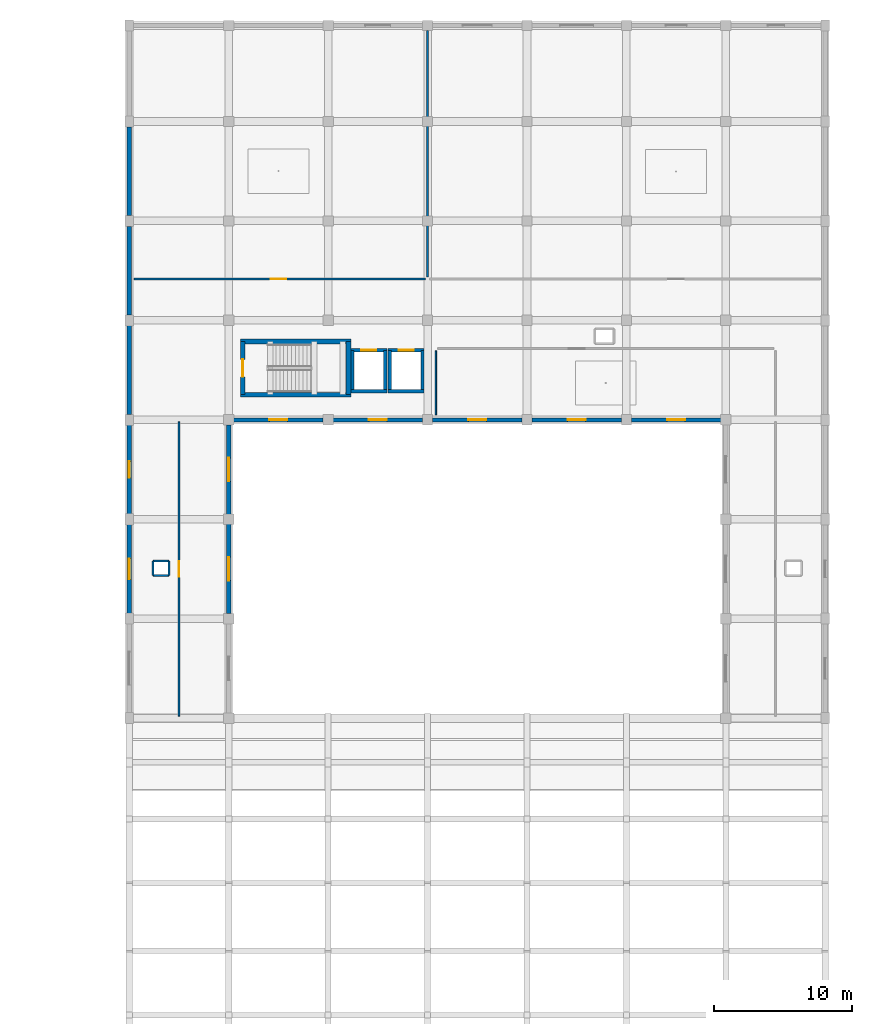
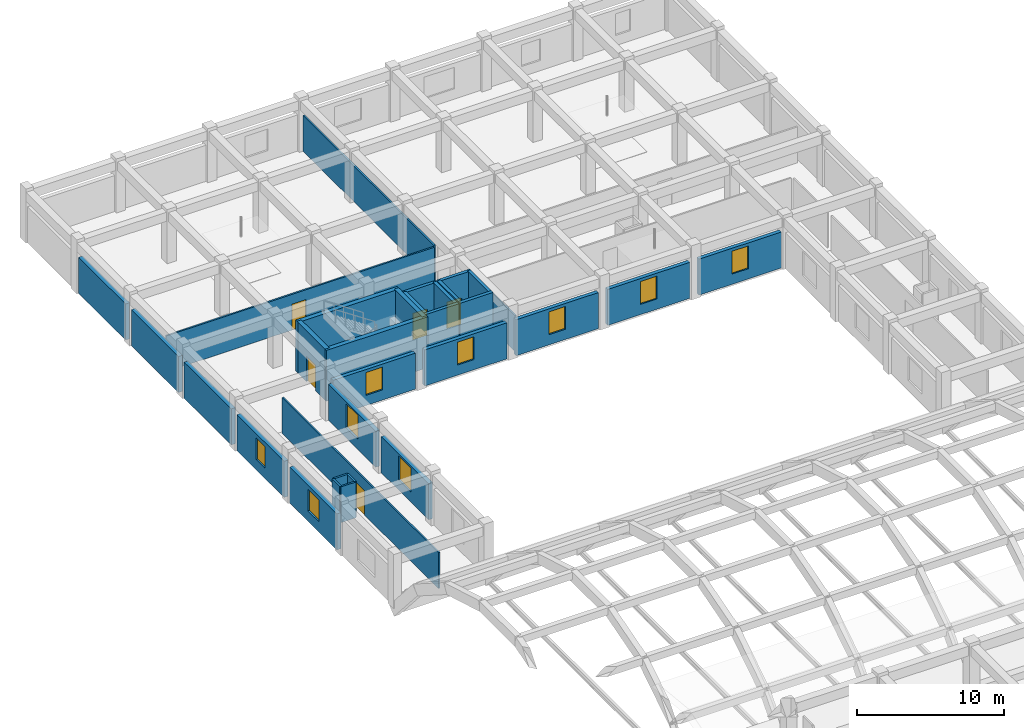
# One storey, part 30 of 48: 32 walls, 9 windows, 5 doors, 14 openings.
"""IFC4 building model written with IfcOpenShell, lengths in metres."""

from ifc_helpers import new_model, si_unit, direction, frame, frame_2d, origin, place, context, subcontext, project, spatial, rectangle, extrude, material, layer, layer_set, type_object, element, fill, save


model = new_model("IFC4")

# Units and contexts
model_context = context("Model", 3, precision=1e-05, world=origin(), true_north=direction((0.0, 1.0)))
body_context = subcontext(model_context, "Body", "Model", "MODEL_VIEW")
ifc_project = project(units=[si_unit("LENGTHUNIT", "METRE"), si_unit("AREAUNIT", "SQUARE_METRE"), si_unit("VOLUMEUNIT", "CUBIC_METRE"), si_unit("PLANEANGLEUNIT", "RADIAN"), si_unit("MASSUNIT", "GRAM", prefix="KILO")], contexts=[model_context])

# Site, building, storey
site_placement = place(None, origin())
site = spatial("IfcSite", under=ifc_project, at=site_placement, CompositionType="ELEMENT")
building_placement = place(site_placement, origin())
building = spatial("IfcBuilding", under=site, at=building_placement, Name="Kazehaya Institute of Natural Sciences", CompositionType="ELEMENT")
storey_placement = place(building_placement, frame((0.0, 0.0, 19.800048828125)))
storey = spatial("IfcBuildingStorey", under=building, at=storey_placement, Name="L04", CompositionType="ELEMENT", Elevation=19.800048828125)

# Walls
ifc_material_1 = material(Name="Concrete Fc42", Category="concrete")
ifc_layer_1 = layer(ifc_material_1, 0.35009765625, Name="Concrete Fc42", Category="concrete")
ifc_layer_set_1 = layer_set([ifc_layer_1], Name="Concrete Fc42")
wall_type_1 = type_object("IfcWallType", Name="WL-CORE-350", PredefinedType="SHEAR", material=ifc_layer_set_1)
for number, where, z_axis, x_axis, name in (
    (1, (77.85498046875, 87.820068359375, 0.0), (0.0, 0.0, 1.0), (-1.0, 0.0, 0.0), "L04 ST-3 core wall S"),
    (2, (69.844970703125, 91.659912109375, 0.0), (0.0, 0.0, 1.0), (1.0, 0.0, 0.0), "L04 ST-3 core wall N"),
):
    element("IfcWall", number, at=place(storey_placement, frame(where, z_axis=z_axis, x_axis=x_axis)), inside=storey, type_object=wall_type_1, Name=name, PredefinedType="SHEAR", context=body_context, shape_type="SweptSolid", body=[
        extrude(rectangle(XDim=8.010009765625, YDim=0.35009765625, at=frame_2d((4.0048828125, 0.0))), origin(), (0.0, 0.0, 1.0), 4.22998046875),
    ])

# Wall, opening, door
wall_1_placement = place(storey_placement, frame((70.02001953125, 87.820068359375, 0.0), z_axis=(0.0, 0.0, 1.0), x_axis=(0.0, 1.0, 0.0)))
wall_1 = element("IfcWall", 3, at=wall_1_placement, inside=storey, type_object=wall_type_1, Name="L04 ST-3 core wall W", PredefinedType="SHEAR", context=body_context, shape_type="SweptSolid", body=[
    extrude(rectangle(XDim=3.83984375, YDim=0.35009765625, at=frame_2d((1.919921875, 0.0))), origin(), (0.0, 0.0, 1.0), 4.22998046875),
])
opening_1_placement = place(wall_1_placement, frame((1.2900390625, 0.0, 0.0)))
opening_1 = element("IfcOpeningElement", 4, at=opening_1_placement, cuts=wall_1, Name="Opening D-ST-028", PredefinedType="OPENING", context=body_context, shape_type="SweptSolid", body=[
    extrude(rectangle(XDim=1.260009765625, YDim=2.1201171875, at=frame_2d((0.6298828125, 1.06005859375))), frame((0.0, 0.18505859375, 0.0), z_axis=(0.0, -1.0, 0.0), x_axis=(1.0, 0.0, 0.0)), (0.0, 0.0, 1.0), 0.3701171875),
])
ifc_material_2 = material(Name="Fire-rated steel acoustic door", Category="steel")
door_type_1 = type_object("IfcDoorType", Name="DT-FD-29", OperationType="NOTDEFINED", PredefinedType="DOOR", material=ifc_material_2)
door_1_placement = place(opening_1_placement, origin())
door_1 = element("IfcDoor", 5, at=door_1_placement, inside=storey, type_object=door_type_1, Name="L04 ST-3 stair enclosure door D-ST-028", OperationType="SINGLE_SWING_RIGHT", OverallHeight=2.1201171875, OverallWidth=1.260009765625, PredefinedType="DOOR", context=body_context, shape_type="SweptSolid", body=[
    extrude(rectangle(XDim=1.260009765625, YDim=2.1201171875, at=frame_2d((0.6298828125, 1.06005859375))), frame((0.0, 0.02490234375, 0.0), z_axis=(0.0, -1.0, 0.0), x_axis=(1.0, 0.0, 0.0)), (0.0, 0.0, 1.0), 0.050048828125),
])
fill(opening_1, door_1)

# Wall
wall_2_placement = place(storey_placement, frame((77.679931640625, 91.659912109375, 0.0), z_axis=(0.0, 0.0, 1.0), x_axis=(0.0, -1.0, 0.0)))
element("IfcWall", 6, at=wall_2_placement, inside=storey, type_object=wall_type_1, Name="L04 ST-3 core wall E", PredefinedType="SHEAR", context=body_context, shape_type="SweptSolid", body=[
    extrude(rectangle(XDim=3.83984375, YDim=0.35009765625, at=frame_2d((1.919921875, 0.0))), origin(), (0.0, 0.0, 1.0), 4.22998046875),
])

# Wall, opening, window
ifc_material_3 = material(Name="Precast concrete Fc36", Category="concrete")
ifc_layer_2 = layer(ifc_material_3, 0.2900390625, Name="Precast concrete Fc36", Category="concrete")
ifc_layer_set_2 = layer_set([ifc_layer_2], Name="Precast concrete Fc36")
wall_type_2 = type_object("IfcWallType", Name="WL-EXT-290", PredefinedType="SOLIDWALL", material=ifc_layer_set_2)
wall_3_placement = place(storey_placement, frame((104.639892578125, 86.0, 0.0), z_axis=(0.0, 0.0, 1.0), x_axis=(-1.0, 0.0, 0.0)))
wall_3 = element("IfcWall", 7, at=wall_3_placement, inside=storey, type_object=wall_type_2, Name="L04 exterior wall EW-L04-0296", PredefinedType="SOLIDWALL", context=body_context, shape_type="SweptSolid", body=[
    extrude(rectangle(XDim=6.47998046875, YDim=0.2900390625, at=frame_2d((3.239990234375, 0.0))), origin(), (0.0, 0.0, 1.0), 3.0),
])
opening_2_placement = place(wall_3_placement, frame((2.590087890625, 0.0, 0.85009765625)))
opening_2 = element("IfcOpeningElement", 8, at=opening_2_placement, cuts=wall_3, Name="Opening W26", PredefinedType="OPENING", context=body_context, shape_type="SweptSolid", body=[
    extrude(rectangle(XDim=1.300048828125, YDim=1.89990234375, at=frame_2d((0.64990234375, 0.949951171875))), frame((0.0, 0.155029296875, 0.0), z_axis=(0.0, -1.0, 0.0), x_axis=(1.0, 0.0, 0.0)), (0.0, 0.0, 1.0), 0.31005859375),
])
ifc_material_4 = material(Name="Low-E double-glazed aluminium window", Category="aluminium")
window_type_1 = type_object("IfcWindowType", Name="WN-26", PartitioningType="SINGLE_PANEL", PredefinedType="WINDOW", material=ifc_material_4)
window_1_placement = place(opening_2_placement, origin())
window_1 = element("IfcWindow", 9, at=window_1_placement, inside=storey, type_object=window_type_1, Name="L04 facade window 0185", OverallHeight=1.89990234375, OverallWidth=1.300048828125, PartitioningType="SINGLE_PANEL", PredefinedType="WINDOW", context=body_context, shape_type="SweptSolid", body=[
    extrude(rectangle(XDim=1.300048828125, YDim=1.89990234375, at=frame_2d((0.64990234375, 0.949951171875))), frame((0.0, 0.030029296875, 0.0), z_axis=(0.0, -1.0, 0.0), x_axis=(1.0, 0.0, 0.0)), (0.0, 0.0, 1.0), 0.06005859375),
])
fill(opening_2, window_1)

wall_4_placement = place(storey_placement, frame((97.43994140625, 86.0, 0.0), z_axis=(0.0, 0.0, 1.0), x_axis=(-1.0, 0.0, 0.0)))
wall_4 = element("IfcWall", 10, at=wall_4_placement, inside=storey, type_object=wall_type_2, Name="L04 exterior wall EW-L04-0297", PredefinedType="SOLIDWALL", context=body_context, shape_type="SweptSolid", body=[
    extrude(rectangle(XDim=6.47998046875, YDim=0.2900390625, at=frame_2d((3.239990234375, 0.0))), origin(), (0.0, 0.0, 1.0), 3.0),
])
opening_3_placement = place(wall_4_placement, frame((2.590087890625, 0.0, 0.85009765625)))
opening_3 = element("IfcOpeningElement", 11, at=opening_3_placement, cuts=wall_4, Name="Opening W26", PredefinedType="OPENING", context=body_context, shape_type="SweptSolid", body=[
    extrude(rectangle(XDim=1.300048828125, YDim=1.89990234375, at=frame_2d((0.64990234375, 0.949951171875))), frame((0.0, 0.155029296875, 0.0), z_axis=(0.0, -1.0, 0.0), x_axis=(1.0, 0.0, 0.0)), (0.0, 0.0, 1.0), 0.31005859375),
])
window_2_placement = place(opening_3_placement, origin())
window_2 = element("IfcWindow", 12, at=window_2_placement, inside=storey, type_object=window_type_1, Name="L04 facade window 0186", OverallHeight=1.89990234375, OverallWidth=1.300048828125, PartitioningType="SINGLE_PANEL", PredefinedType="WINDOW", context=body_context, shape_type="SweptSolid", body=[
    extrude(rectangle(XDim=1.300048828125, YDim=1.89990234375, at=frame_2d((0.64990234375, 0.949951171875))), frame((0.0, 0.030029296875, 0.0), z_axis=(0.0, -1.0, 0.0), x_axis=(1.0, 0.0, 0.0)), (0.0, 0.0, 1.0), 0.06005859375),
])
fill(opening_3, window_2)

wall_5_placement = place(storey_placement, frame((90.239990234375, 86.0, 0.0), z_axis=(0.0, 0.0, 1.0), x_axis=(-1.0, 0.0, 0.0)))
wall_5 = element("IfcWall", 13, at=wall_5_placement, inside=storey, type_object=wall_type_2, Name="L04 exterior wall EW-L04-0298", PredefinedType="SOLIDWALL", context=body_context, shape_type="SweptSolid", body=[
    extrude(rectangle(XDim=6.47998046875, YDim=0.2900390625, at=frame_2d((3.239990234375, 0.0))), origin(), (0.0, 0.0, 1.0), 3.0),
])
opening_4_placement = place(wall_5_placement, frame((2.590087890625, 0.0, 0.85009765625)))
opening_4 = element("IfcOpeningElement", 14, at=opening_4_placement, cuts=wall_5, Name="Opening W26", PredefinedType="OPENING", context=body_context, shape_type="SweptSolid", body=[
    extrude(rectangle(XDim=1.300048828125, YDim=1.89990234375, at=frame_2d((0.64990234375, 0.949951171875))), frame((0.0, 0.155029296875, 0.0), z_axis=(0.0, -1.0, 0.0), x_axis=(1.0, 0.0, 0.0)), (0.0, 0.0, 1.0), 0.31005859375),
])
window_3_placement = place(opening_4_placement, origin())
window_3 = element("IfcWindow", 15, at=window_3_placement, inside=storey, type_object=window_type_1, Name="L04 facade window 0187", OverallHeight=1.89990234375, OverallWidth=1.300048828125, PartitioningType="SINGLE_PANEL", PredefinedType="WINDOW", context=body_context, shape_type="SweptSolid", body=[
    extrude(rectangle(XDim=1.300048828125, YDim=1.89990234375, at=frame_2d((0.64990234375, 0.949951171875))), frame((0.0, 0.030029296875, 0.0), z_axis=(0.0, -1.0, 0.0), x_axis=(1.0, 0.0, 0.0)), (0.0, 0.0, 1.0), 0.06005859375),
])
fill(opening_4, window_3)

wall_6_placement = place(storey_placement, frame((83.0400390625, 86.0, 0.0), z_axis=(0.0, 0.0, 1.0), x_axis=(-1.0, 0.0, 0.0)))
wall_6 = element("IfcWall", 16, at=wall_6_placement, inside=storey, type_object=wall_type_2, Name="L04 exterior wall EW-L04-0299", PredefinedType="SOLIDWALL", context=body_context, shape_type="SweptSolid", body=[
    extrude(rectangle(XDim=6.47998046875, YDim=0.2900390625, at=frame_2d((3.239990234375, 0.0))), origin(), (0.0, 0.0, 1.0), 3.0),
])
opening_5_placement = place(wall_6_placement, frame((2.590087890625, 0.0, 0.85009765625)))
opening_5 = element("IfcOpeningElement", 17, at=opening_5_placement, cuts=wall_6, Name="Opening W26", PredefinedType="OPENING", context=body_context, shape_type="SweptSolid", body=[
    extrude(rectangle(XDim=1.300048828125, YDim=1.89990234375, at=frame_2d((0.64990234375, 0.949951171875))), frame((0.0, 0.155029296875, 0.0), z_axis=(0.0, -1.0, 0.0), x_axis=(1.0, 0.0, 0.0)), (0.0, 0.0, 1.0), 0.31005859375),
])
window_4_placement = place(opening_5_placement, origin())
window_4 = element("IfcWindow", 18, at=window_4_placement, inside=storey, type_object=window_type_1, Name="L04 facade window 0188", OverallHeight=1.89990234375, OverallWidth=1.300048828125, PartitioningType="SINGLE_PANEL", PredefinedType="WINDOW", context=body_context, shape_type="SweptSolid", body=[
    extrude(rectangle(XDim=1.300048828125, YDim=1.89990234375, at=frame_2d((0.64990234375, 0.949951171875))), frame((0.0, 0.030029296875, 0.0), z_axis=(0.0, -1.0, 0.0), x_axis=(1.0, 0.0, 0.0)), (0.0, 0.0, 1.0), 0.06005859375),
])
fill(opening_5, window_4)

wall_7_placement = place(storey_placement, frame((75.840087890625, 86.0, 0.0), z_axis=(0.0, 0.0, 1.0), x_axis=(-1.0, 0.0, 0.0)))
wall_7 = element("IfcWall", 19, at=wall_7_placement, inside=storey, type_object=wall_type_2, Name="L04 exterior wall EW-L04-0300", PredefinedType="SOLIDWALL", context=body_context, shape_type="SweptSolid", body=[
    extrude(rectangle(XDim=6.47998046875, YDim=0.2900390625, at=frame_2d((3.239990234375, 0.0))), origin(), (0.0, 0.0, 1.0), 3.0),
])
opening_6_placement = place(wall_7_placement, frame((2.590087890625, 0.0, 0.85009765625)))
opening_6 = element("IfcOpeningElement", 20, at=opening_6_placement, cuts=wall_7, Name="Opening W26", PredefinedType="OPENING", context=body_context, shape_type="SweptSolid", body=[
    extrude(rectangle(XDim=1.300048828125, YDim=1.89990234375, at=frame_2d((0.64990234375, 0.949951171875))), frame((0.0, 0.155029296875, 0.0), z_axis=(0.0, -1.0, 0.0), x_axis=(1.0, 0.0, 0.0)), (0.0, 0.0, 1.0), 0.31005859375),
])
window_5_placement = place(opening_6_placement, origin())
window_5 = element("IfcWindow", 21, at=window_5_placement, inside=storey, type_object=window_type_1, Name="L04 facade window 0189", OverallHeight=1.89990234375, OverallWidth=1.300048828125, PartitioningType="SINGLE_PANEL", PredefinedType="WINDOW", context=body_context, shape_type="SweptSolid", body=[
    extrude(rectangle(XDim=1.300048828125, YDim=1.89990234375, at=frame_2d((0.64990234375, 0.949951171875))), frame((0.0, 0.030029296875, 0.0), z_axis=(0.0, -1.0, 0.0), x_axis=(1.0, 0.0, 0.0)), (0.0, 0.0, 1.0), 0.06005859375),
])
fill(opening_6, window_5)

ifc_layer_3 = layer(ifc_material_3, 0.31005859375, Name="Precast concrete Fc36", Category="concrete")
ifc_layer_set_3 = layer_set([ifc_layer_3], Name="Precast concrete Fc36")
wall_type_3 = type_object("IfcWallType", Name="WL-EXT-310", PredefinedType="SOLIDWALL", material=ifc_layer_set_3)
wall_8_placement = place(storey_placement, frame((69.0, 78.43994140625, 0.0), z_axis=(0.0, 0.0, 1.0), x_axis=(0.0, -1.0, 0.0)))
wall_8 = element("IfcWall", 22, at=wall_8_placement, inside=storey, type_object=wall_type_3, Name="L04 exterior wall EW-L04-0275", PredefinedType="SOLIDWALL", context=body_context, shape_type="SweptSolid", body=[
    extrude(rectangle(XDim=6.47998046875, YDim=0.31005859375, at=frame_2d((3.239990234375, 0.0))), origin(), (0.0, 0.0, 1.0), 3.0),
])
opening_7_placement = place(wall_8_placement, frame((2.389892578125, 0.0, 0.85009765625)))
opening_7 = element("IfcOpeningElement", 23, at=opening_7_placement, cuts=wall_8, Name="Opening W22", PredefinedType="OPENING", context=body_context, shape_type="SweptSolid", body=[
    extrude(rectangle(XDim=1.699951171875, YDim=2.0, at=frame_2d((0.85009765625, 1.0))), frame((0.0, 0.1650390625, 0.0), z_axis=(0.0, -1.0, 0.0), x_axis=(1.0, 0.0, 0.0)), (0.0, 0.0, 1.0), 0.330078125),
])
window_type_2 = type_object("IfcWindowType", Name="WN-22", PartitioningType="SINGLE_PANEL", PredefinedType="WINDOW", material=ifc_material_4)
window_6_placement = place(opening_7_placement, origin())
window_6 = element("IfcWindow", 24, at=window_6_placement, inside=storey, type_object=window_type_2, Name="L04 facade window 0175", OverallHeight=2.0, OverallWidth=1.699951171875, PartitioningType="SINGLE_PANEL", PredefinedType="WINDOW", context=body_context, shape_type="SweptSolid", body=[
    extrude(rectangle(XDim=1.699951171875, YDim=2.0, at=frame_2d((0.85009765625, 1.0))), frame((0.0, 0.030029296875, 0.0), z_axis=(0.0, -1.0, 0.0), x_axis=(1.0, 0.0, 0.0)), (0.0, 0.0, 1.0), 0.06005859375),
])
fill(opening_7, window_6)

wall_9_placement = place(storey_placement, frame((69.0, 85.639892578125, 0.0), z_axis=(0.0, 0.0, 1.0), x_axis=(0.0, -1.0, 0.0)))
wall_9 = element("IfcWall", 25, at=wall_9_placement, inside=storey, type_object=wall_type_3, Name="L04 exterior wall EW-L04-0279", PredefinedType="SOLIDWALL", context=body_context, shape_type="SweptSolid", body=[
    extrude(rectangle(XDim=6.47998046875, YDim=0.31005859375, at=frame_2d((3.239990234375, 0.0))), origin(), (0.0, 0.0, 1.0), 3.0),
])
opening_8_placement = place(wall_9_placement, frame((2.389892578125, 0.0, 0.85009765625)))
opening_8 = element("IfcOpeningElement", 26, at=opening_8_placement, cuts=wall_9, Name="Opening W22", PredefinedType="OPENING", context=body_context, shape_type="SweptSolid", body=[
    extrude(rectangle(XDim=1.699951171875, YDim=2.0, at=frame_2d((0.85009765625, 1.0))), frame((0.0, 0.1650390625, 0.0), z_axis=(0.0, -1.0, 0.0), x_axis=(1.0, 0.0, 0.0)), (0.0, 0.0, 1.0), 0.330078125),
])
window_7_placement = place(opening_8_placement, origin())
window_7 = element("IfcWindow", 27, at=window_7_placement, inside=storey, type_object=window_type_2, Name="L04 facade window 0178", OverallHeight=2.0, OverallWidth=1.699951171875, PartitioningType="SINGLE_PANEL", PredefinedType="WINDOW", context=body_context, shape_type="SweptSolid", body=[
    extrude(rectangle(XDim=1.699951171875, YDim=2.0, at=frame_2d((0.85009765625, 1.0))), frame((0.0, 0.030029296875, 0.0), z_axis=(0.0, -1.0, 0.0), x_axis=(1.0, 0.0, 0.0)), (0.0, 0.0, 1.0), 0.06005859375),
])
fill(opening_8, window_7)

ifc_layer_4 = layer(ifc_material_3, 0.320068359375, Name="Precast concrete Fc36", Category="concrete")
ifc_layer_set_4 = layer_set([ifc_layer_4], Name="Precast concrete Fc36")
wall_type_4 = type_object("IfcWallType", Name="WL-EXT-320", PredefinedType="SOLIDWALL", material=ifc_layer_set_4)
wall_10_placement = place(storey_placement, frame((61.800048828125, 71.985107421875, 0.0), z_axis=(0.0, 0.0, 1.0), x_axis=(0.0, 1.0, 0.0)))
wall_10 = element("IfcWall", 28, at=wall_10_placement, inside=storey, type_object=wall_type_4, Name="L04 exterior wall EW-L04-0273", PredefinedType="SOLIDWALL", context=body_context, shape_type="SweptSolid", body=[
    extrude(rectangle(XDim=6.429931640625, YDim=0.320068359375, at=frame_2d((3.21484375, 0.0))), origin(), (0.0, 0.0, 1.0), 3.0),
])
opening_9_placement = place(wall_10_placement, frame((2.465087890625, 0.0, 0.85009765625)))
opening_9 = element("IfcOpeningElement", 29, at=opening_9_placement, cuts=wall_10, Name="Opening W14", PredefinedType="OPENING", context=body_context, shape_type="SweptSolid", body=[
    extrude(rectangle(XDim=1.5, YDim=1.800048828125, at=frame_2d((0.75, 0.89990234375))), frame((0.0, 0.169921875, 0.0), z_axis=(0.0, -1.0, 0.0), x_axis=(1.0, 0.0, 0.0)), (0.0, 0.0, 1.0), 0.340087890625),
])
window_type_3 = type_object("IfcWindowType", Name="WN-14", PartitioningType="SINGLE_PANEL", PredefinedType="WINDOW", material=ifc_material_4)
window_8_placement = place(opening_9_placement, origin())
window_8 = element("IfcWindow", 30, at=window_8_placement, inside=storey, type_object=window_type_3, Name="L04 facade window 0173", OverallHeight=1.800048828125, OverallWidth=1.5, PartitioningType="SINGLE_PANEL", PredefinedType="WINDOW", context=body_context, shape_type="SweptSolid", body=[
    extrude(rectangle(XDim=1.5, YDim=1.800048828125, at=frame_2d((0.75, 0.89990234375))), frame((0.0, 0.030029296875, 0.0), z_axis=(0.0, -1.0, 0.0), x_axis=(1.0, 0.0, 0.0)), (0.0, 0.0, 1.0), 0.06005859375),
])
fill(opening_9, window_8)

wall_11_placement = place(storey_placement, frame((61.800048828125, 79.18505859375, 0.0), z_axis=(0.0, 0.0, 1.0), x_axis=(0.0, 1.0, 0.0)))
wall_11 = element("IfcWall", 31, at=wall_11_placement, inside=storey, type_object=wall_type_4, Name="L04 exterior wall EW-L04-0277", PredefinedType="SOLIDWALL", context=body_context, shape_type="SweptSolid", body=[
    extrude(rectangle(XDim=6.429931640625, YDim=0.320068359375, at=frame_2d((3.21484375, 0.0))), origin(), (0.0, 0.0, 1.0), 3.0),
])
opening_10_placement = place(wall_11_placement, frame((2.614990234375, 0.0, 0.85009765625)))
opening_10 = element("IfcOpeningElement", 32, at=opening_10_placement, cuts=wall_11, Name="Opening W15", PredefinedType="OPENING", context=body_context, shape_type="SweptSolid", body=[
    extrude(rectangle(XDim=1.199951171875, YDim=1.800048828125, at=frame_2d((0.60009765625, 0.89990234375))), frame((0.0, 0.169921875, 0.0), z_axis=(0.0, -1.0, 0.0), x_axis=(1.0, 0.0, 0.0)), (0.0, 0.0, 1.0), 0.340087890625),
])
window_type_4 = type_object("IfcWindowType", Name="WN-15", PartitioningType="SINGLE_PANEL", PredefinedType="WINDOW", material=ifc_material_4)
window_9_placement = place(opening_10_placement, origin())
window_9 = element("IfcWindow", 33, at=window_9_placement, inside=storey, type_object=window_type_4, Name="L04 facade window 0177", OverallHeight=1.800048828125, OverallWidth=1.199951171875, PartitioningType="SINGLE_PANEL", PredefinedType="WINDOW", context=body_context, shape_type="SweptSolid", body=[
    extrude(rectangle(XDim=1.199951171875, YDim=1.800048828125, at=frame_2d((0.60009765625, 0.89990234375))), frame((0.0, 0.030029296875, 0.0), z_axis=(0.0, -1.0, 0.0), x_axis=(1.0, 0.0, 0.0)), (0.0, 0.0, 1.0), 0.06005859375),
])
fill(opening_10, window_9)

# Walls
for number, where, z_axis, x_axis, name in (
    (34, (61.800048828125, 86.385009765625, 0.0), (0.0, 0.0, 1.0), (0.0, 1.0, 0.0), "L04 exterior wall EW-L04-0281"),
    (35, (61.800048828125, 93.5849609375, 0.0), (0.0, 0.0, 1.0), (0.0, 1.0, 0.0), "L04 exterior wall EW-L04-0283"),
):
    element("IfcWall", number, at=place(storey_placement, frame(where, z_axis=z_axis, x_axis=x_axis)), inside=storey, type_object=wall_type_4, Name=name, PredefinedType="SOLIDWALL", context=body_context, shape_type="SweptSolid", body=[
        extrude(rectangle(XDim=6.429931640625, YDim=0.320068359375, at=frame_2d((3.21484375, 0.0))), origin(), (0.0, 0.0, 1.0), 3.0),
    ])
wall_12_placement = place(storey_placement, frame((61.800048828125, 100.784912109375, 0.0), z_axis=(0.0, 0.0, 1.0), x_axis=(0.0, 1.0, 0.0)))
element("IfcWall", 36, at=wall_12_placement, inside=storey, type_object=wall_type_4, Name="L04 exterior wall EW-L04-0285", PredefinedType="SOLIDWALL", context=body_context, shape_type="SweptSolid", body=[
    extrude(rectangle(XDim=6.43017578125, YDim=0.320068359375, at=frame_2d((3.215087890625, 0.0))), origin(), (0.0, 0.0, 1.0), 3.0),
])
ifc_material_5 = material(Name="Glazed office demountable partition")
ifc_layer_5 = layer(ifc_material_5, 0.110107421875, Name="Glazed office demountable partition")
ifc_layer_set_5 = layer_set([ifc_layer_5], Name="Glazed office demountable partition")
wall_type_5 = type_object("IfcWallType", Name="WL-PART-110", PredefinedType="PARTITIONING", material=ifc_layer_set_5)
wall_13_placement = place(storey_placement, frame((84.0, 86.35009765625, 0.0), z_axis=(0.0, 0.0, 1.0), x_axis=(0.0, 1.0, 0.0)))
element("IfcWall", 37, at=wall_13_placement, inside=storey, type_object=wall_type_5, Name="L04 Researcher Write-up Office partition IW-L04-0252", PredefinedType="PARTITIONING", context=body_context, shape_type="SweptSolid", body=[
    extrude(rectangle(XDim=4.64990234375, YDim=0.110107421875, at=frame_2d((2.324951171875, 0.0))), origin(), (0.0, 0.0, 1.0), 2.97998046875),
])

# Wall, opening, door
ifc_material_6 = material(Name="Gypsum write-up office partition", Category="gypsum")
ifc_layer_6 = layer(ifc_material_6, 0.1201171875, Name="Gypsum write-up office partition", Category="gypsum")
ifc_layer_set_6 = layer_set([ifc_layer_6], Name="Gypsum write-up office partition")
wall_type_6 = type_object("IfcWallType", Name="WL-PART-120", PredefinedType="PARTITIONING", material=ifc_layer_set_6)
wall_14_placement = place(storey_placement, frame((65.39990234375, 64.550048828125, 0.0), z_axis=(0.0, 0.0, 1.0), x_axis=(0.0, 1.0, 0.0)))
wall_14 = element("IfcWall", 38, at=wall_14_placement, inside=storey, type_object=wall_type_6, Name="L04 Researcher Write-up Office partition IW-L04-0246", PredefinedType="PARTITIONING", context=body_context, shape_type="SweptSolid", body=[
    extrude(rectangle(XDim=21.300048828125, YDim=0.1201171875, at=frame_2d((10.64990234375, 0.0))), origin(), (0.0, 0.0, 1.0), 2.97998046875),
])
opening_11_placement = place(wall_14_placement, frame((10.094970703125, 0.0, 0.0)))
opening_11 = element("IfcOpeningElement", 39, at=opening_11_placement, cuts=wall_14, Name="Opening D-L04-0149", PredefinedType="OPENING", context=body_context, shape_type="SweptSolid", body=[
    extrude(rectangle(XDim=1.110107421875, YDim=2.050048828125, at=frame_2d((0.55517578125, 1.02490234375))), frame((0.0, 0.070068359375, 0.0), z_axis=(0.0, -1.0, 0.0), x_axis=(1.0, 0.0, 0.0)), (0.0, 0.0, 1.0), 0.14013671875),
])
ifc_material_7 = material(Name="Flush timber and aluminium laboratory door", Category="wood")
door_type_2 = type_object("IfcDoorType", Name="DT-INT-25", OperationType="NOTDEFINED", PredefinedType="DOOR", material=ifc_material_7)
door_2_placement = place(opening_11_placement, origin())
door_2 = element("IfcDoor", 40, at=door_2_placement, inside=storey, type_object=door_type_2, Name="L04 Researcher Write-up Office door D-L04-0149", OperationType="SINGLE_SWING_LEFT", OverallHeight=2.050048828125, OverallWidth=1.110107421875, PredefinedType="DOOR", context=body_context, shape_type="SweptSolid", body=[
    extrude(rectangle(XDim=1.110107421875, YDim=2.050048828125, at=frame_2d((0.55517578125, 1.02490234375))), frame((0.0, 0.02490234375, 0.0), z_axis=(0.0, -1.0, 0.0), x_axis=(1.0, 0.0, 0.0)), (0.0, 0.0, 1.0), 0.050048828125),
])
fill(opening_11, door_2)

ifc_material_8 = material(Name="Moisture-resistant WC partition")
ifc_layer_7 = layer(ifc_material_8, 0.1298828125, Name="Moisture-resistant WC partition")
ifc_layer_set_7 = layer_set([ifc_layer_7], Name="Moisture-resistant WC partition")
wall_type_7 = type_object("IfcWallType", Name="WL-PART-130", PredefinedType="PARTITIONING", material=ifc_layer_set_7)
wall_15_placement = place(storey_placement, frame((83.25, 96.199951171875, 0.0), z_axis=(0.0, 0.0, 1.0), x_axis=(-1.0, 0.0, 0.0)))
wall_15 = element("IfcWall", 41, at=wall_15_placement, inside=storey, type_object=wall_type_7, Name="L04 Clean Room ISO Class Seven Suite partition IW-L04-0248", PredefinedType="PARTITIONING", context=body_context, shape_type="SweptSolid", body=[
    extrude(rectangle(XDim=21.10009765625, YDim=0.1298828125, at=frame_2d((10.550048828125, 0.0))), origin(), (0.0, 0.0, 1.0), 2.97998046875),
])
opening_12_placement = place(wall_15_placement, frame((10.094970703125, 0.0, 0.0)))
opening_12 = element("IfcOpeningElement", 42, at=opening_12_placement, cuts=wall_15, Name="Opening D-L04-0151", PredefinedType="OPENING", context=body_context, shape_type="SweptSolid", body=[
    extrude(rectangle(XDim=1.110107421875, YDim=2.159912109375, at=frame_2d((0.55517578125, 1.080078125))), frame((0.0, 0.074951171875, 0.0), z_axis=(0.0, -1.0, 0.0), x_axis=(1.0, 0.0, 0.0)), (0.0, 0.0, 1.0), 0.14990234375),
])
door_type_3 = type_object("IfcDoorType", Name="DT-INT-27", OperationType="NOTDEFINED", PredefinedType="DOOR", material=ifc_material_7)
door_3_placement = place(opening_12_placement, origin())
door_3 = element("IfcDoor", 43, at=door_3_placement, inside=storey, type_object=door_type_3, Name="L04 Clean Room ISO Class Seven Suite door D-L04-0151", OperationType="SINGLE_SWING_LEFT", OverallHeight=2.159912109375, OverallWidth=1.110107421875, PredefinedType="DOOR", context=body_context, shape_type="SweptSolid", body=[
    extrude(rectangle(XDim=1.110107421875, YDim=2.159912109375, at=frame_2d((0.55517578125, 1.080078125))), frame((0.0, 0.02490234375, 0.0), z_axis=(0.0, -1.0, 0.0), x_axis=(1.0, 0.0, 0.0)), (0.0, 0.0, 1.0), 0.050048828125),
])
fill(opening_12, door_3)

# Walls
wall_16_placement = place(storey_placement, frame((83.39990234375, 114.199951171875, 0.0), z_axis=(0.0, 0.0, 1.0), x_axis=(0.0, -1.0, 0.0)))
element("IfcWall", 44, at=wall_16_placement, inside=storey, type_object=wall_type_7, Name="L04 Clean Room ISO Class Seven Suite partition IW-L04-0249", PredefinedType="PARTITIONING", context=body_context, shape_type="SweptSolid", body=[
    extrude(rectangle(XDim=17.849853515625, YDim=0.1298828125, at=frame_2d((8.9248046875, 0.0))), origin(), (0.0, 0.0, 1.0), 2.97998046875),
])
ifc_material_9 = material(Name="Concrete Fc36", Category="concrete")
ifc_layer_8 = layer(ifc_material_9, 0.14990234375, Name="Concrete Fc36", Category="concrete")
ifc_layer_set_8 = layer_set([ifc_layer_8], Name="Concrete Fc36")
wall_type_8 = type_object("IfcWallType", Name="WL-RISER-150", PredefinedType="PARTITIONING", material=ifc_layer_set_8)
for number, where, z_axis, x_axis, name in (
    (45, (64.68505859375, 74.715087890625, 0.0), (0.0, 0.0, 1.0), (-1.0, 0.0, 0.0), "L04 fume exhaust riser shaft wall 36"),
    (46, (63.514892578125, 75.784912109375, 0.0), (0.0, 0.0, 1.0), (1.0, 0.0, 0.0), "L04 fume exhaust riser shaft wall 36"),
):
    element("IfcWall", number, at=place(storey_placement, frame(where, z_axis=z_axis, x_axis=x_axis)), inside=storey, type_object=wall_type_8, Name=name, PredefinedType="PARTITIONING", context=body_context, shape_type="SweptSolid", body=[
        extrude(rectangle(XDim=1.170166015625, YDim=0.14990234375, at=frame_2d((0.5849609375, 0.0))), origin(), (0.0, 0.0, 1.0), 2.97998046875),
    ])
for number, where, z_axis, x_axis, name in (
    (47, (63.514892578125, 74.715087890625, 0.0), (0.0, 0.0, 1.0), (0.0, 1.0, 0.0), "L04 fume exhaust riser shaft wall 36"),
    (48, (64.68505859375, 75.784912109375, 0.0), (0.0, 0.0, 1.0), (0.0, -1.0, 0.0), "L04 fume exhaust riser shaft wall 36"),
):
    element("IfcWall", number, at=place(storey_placement, frame(where, z_axis=z_axis, x_axis=x_axis)), inside=storey, type_object=wall_type_8, Name=name, PredefinedType="PARTITIONING", context=body_context, shape_type="SweptSolid", body=[
        extrude(rectangle(XDim=1.06982421875, YDim=0.14990234375, at=frame_2d((0.534912109375, 0.0))), origin(), (0.0, 0.0, 1.0), 2.97998046875),
    ])
ifc_layer_9 = layer(ifc_material_1, 0.25, Name="Concrete Fc42", Category="concrete")
ifc_layer_set_9 = layer_set([ifc_layer_9], Name="Concrete Fc42")
wall_type_9 = type_object("IfcWallType", Name="WL-SHAFT-250", PredefinedType="SHEAR", material=ifc_layer_set_9)
wall_17_placement = place(storey_placement, frame((80.4599609375, 88.06494140625, 0.0), z_axis=(0.0, 0.0, 1.0), x_axis=(-1.0, 0.0, 0.0)))
element("IfcWall", 49, at=wall_17_placement, inside=storey, type_object=wall_type_9, Name="L04 EL04 lift shaft wall south", PredefinedType="SHEAR", context=body_context, shape_type="SweptSolid", body=[
    extrude(rectangle(XDim=2.619873046875, YDim=0.25, at=frame_2d((1.31005859375, 0.0))), origin(), (0.0, 0.0, 1.0), 4.22998046875),
])

# Wall, opening, door
wall_18_placement = place(storey_placement, frame((77.840087890625, 91.034912109375, 0.0), z_axis=(0.0, 0.0, 1.0), x_axis=(1.0, 0.0, 0.0)))
wall_18 = element("IfcWall", 50, at=wall_18_placement, inside=storey, type_object=wall_type_9, Name="L04 EL04 lift shaft wall north", PredefinedType="SHEAR", context=body_context, shape_type="SweptSolid", body=[
    extrude(rectangle(XDim=2.619873046875, YDim=0.25, at=frame_2d((1.31005859375, 0.0))), origin(), (0.0, 0.0, 1.0), 4.22998046875),
])
opening_13_placement = place(wall_18_placement, frame((0.760009765625, 0.0, 0.0)))
opening_13 = element("IfcOpeningElement", 51, at=opening_13_placement, cuts=wall_18, Name="Opening LD-61", PredefinedType="OPENING", context=body_context, shape_type="SweptSolid", body=[
    extrude(rectangle(XDim=1.10009765625, YDim=2.199951171875, at=frame_2d((0.550048828125, 1.10009765625))), frame((0.0, 0.135009765625, 0.0), z_axis=(0.0, -1.0, 0.0), x_axis=(1.0, 0.0, 0.0)), (0.0, 0.0, 1.0), 0.27001953125),
])
ifc_material_10 = material(Name="Stainless-steel sliding landing door", Category="steel")
door_type_4 = type_object("IfcDoorType", Name="DT-LD-1100x2200", OperationType="SLIDING_TO_LEFT", PredefinedType="DOOR", material=ifc_material_10)
door_4_placement = place(opening_13_placement, origin())
door_4 = element("IfcDoor", 52, at=door_4_placement, inside=storey, type_object=door_type_4, Name="L04 EL04 sliding landing door LD-61", OperationType="SLIDING_TO_LEFT", OverallHeight=2.199951171875, OverallWidth=1.10009765625, PredefinedType="DOOR", context=body_context, shape_type="SweptSolid", body=[
    extrude(rectangle(XDim=1.10009765625, YDim=2.199951171875, at=frame_2d((0.550048828125, 1.10009765625))), frame((0.0, 0.02490234375, 0.0), z_axis=(0.0, -1.0, 0.0), x_axis=(1.0, 0.0, 0.0)), (0.0, 0.0, 1.0), 0.050048828125),
])
fill(opening_13, door_4)

# Walls
for number, where, z_axis, x_axis, name in (
    (53, (77.965087890625, 88.06494140625, 0.0), (0.0, 0.0, 1.0), (0.0, 1.0, 0.0), "L04 EL04 lift shaft wall west"),
    (54, (80.3349609375, 91.034912109375, 0.0), (0.0, 0.0, 1.0), (0.0, -1.0, 0.0), "L04 EL04 lift shaft wall east"),
):
    element("IfcWall", number, at=place(storey_placement, frame(where, z_axis=z_axis, x_axis=x_axis)), inside=storey, type_object=wall_type_9, Name=name, PredefinedType="SHEAR", context=body_context, shape_type="SweptSolid", body=[
        extrude(rectangle(XDim=2.969970703125, YDim=0.25, at=frame_2d((1.48486328125, 0.0))), origin(), (0.0, 0.0, 1.0), 4.22998046875),
    ])
wall_19_placement = place(storey_placement, frame((83.159912109375, 88.06494140625, 0.0), z_axis=(0.0, 0.0, 1.0), x_axis=(-1.0, 0.0, 0.0)))
element("IfcWall", 55, at=wall_19_placement, inside=storey, type_object=wall_type_9, Name="L04 EL05 lift shaft wall south", PredefinedType="SHEAR", context=body_context, shape_type="SweptSolid", body=[
    extrude(rectangle(XDim=2.619873046875, YDim=0.25, at=frame_2d((1.31005859375, 0.0))), origin(), (0.0, 0.0, 1.0), 4.22998046875),
])

# Wall, opening, door
wall_20_placement = place(storey_placement, frame((80.5400390625, 91.034912109375, 0.0), z_axis=(0.0, 0.0, 1.0), x_axis=(1.0, 0.0, 0.0)))
wall_20 = element("IfcWall", 56, at=wall_20_placement, inside=storey, type_object=wall_type_9, Name="L04 EL05 lift shaft wall north", PredefinedType="SHEAR", context=body_context, shape_type="SweptSolid", body=[
    extrude(rectangle(XDim=2.619873046875, YDim=0.25, at=frame_2d((1.31005859375, 0.0))), origin(), (0.0, 0.0, 1.0), 4.22998046875),
])
opening_14_placement = place(wall_20_placement, frame((0.760009765625, 0.0, 0.0)))
opening_14 = element("IfcOpeningElement", 57, at=opening_14_placement, cuts=wall_20, Name="Opening LD-69", PredefinedType="OPENING", context=body_context, shape_type="SweptSolid", body=[
    extrude(rectangle(XDim=1.10009765625, YDim=2.199951171875, at=frame_2d((0.550048828125, 1.10009765625))), frame((0.0, 0.135009765625, 0.0), z_axis=(0.0, -1.0, 0.0), x_axis=(1.0, 0.0, 0.0)), (0.0, 0.0, 1.0), 0.27001953125),
])
door_5_placement = place(opening_14_placement, origin())
door_5 = element("IfcDoor", 58, at=door_5_placement, inside=storey, type_object=door_type_4, Name="L04 EL05 sliding landing door LD-69", OperationType="SLIDING_TO_LEFT", OverallHeight=2.199951171875, OverallWidth=1.10009765625, PredefinedType="DOOR", context=body_context, shape_type="SweptSolid", body=[
    extrude(rectangle(XDim=1.10009765625, YDim=2.199951171875, at=frame_2d((0.550048828125, 1.10009765625))), frame((0.0, 0.02490234375, 0.0), z_axis=(0.0, -1.0, 0.0), x_axis=(1.0, 0.0, 0.0)), (0.0, 0.0, 1.0), 0.050048828125),
])
fill(opening_14, door_5)

# Walls
for number, where, z_axis, x_axis, name in (
    (59, (80.6650390625, 88.06494140625, 0.0), (0.0, 0.0, 1.0), (0.0, 1.0, 0.0), "L04 EL05 lift shaft wall west"),
    (60, (83.034912109375, 91.034912109375, 0.0), (0.0, 0.0, 1.0), (0.0, -1.0, 0.0), "L04 EL05 lift shaft wall east"),
):
    element("IfcWall", number, at=place(storey_placement, frame(where, z_axis=z_axis, x_axis=x_axis)), inside=storey, type_object=wall_type_9, Name=name, PredefinedType="SHEAR", context=body_context, shape_type="SweptSolid", body=[
        extrude(rectangle(XDim=2.969970703125, YDim=0.25, at=frame_2d((1.48486328125, 0.0))), origin(), (0.0, 0.0, 1.0), 4.22998046875),
    ])

save(model, "model.ifc")
